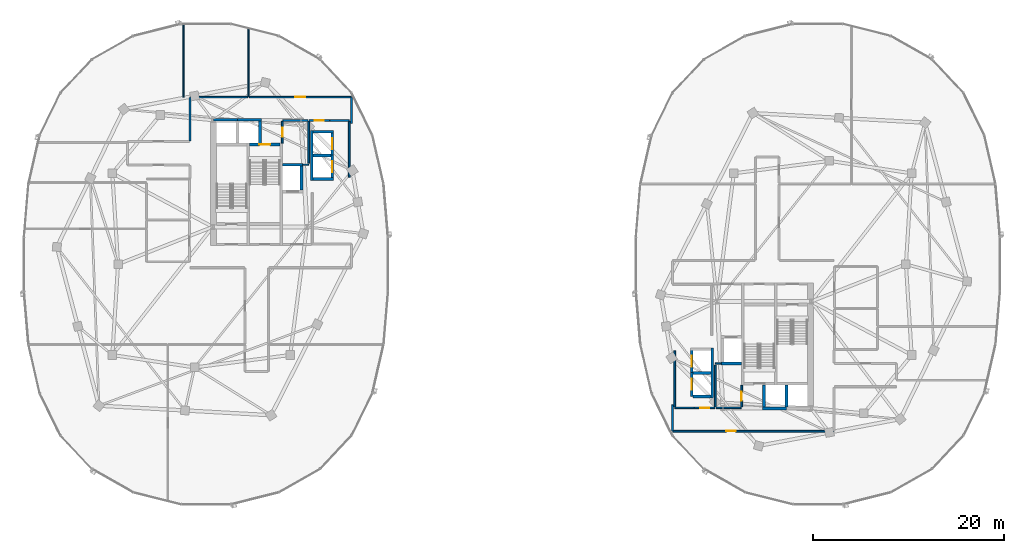
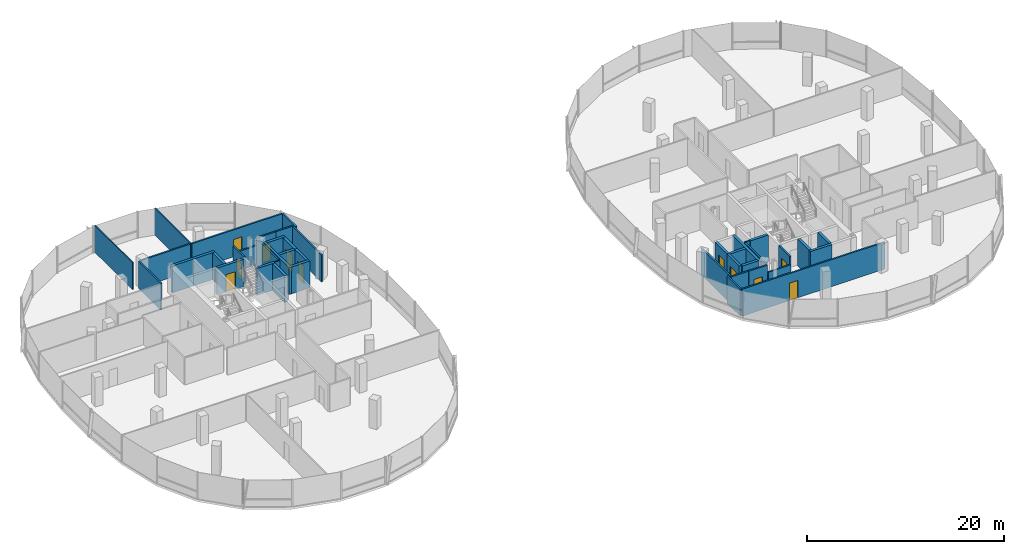
# One storey, part 16 of 25: 43 walls, 11 doors, 11 openings.
"""IFC4 building model written with IfcOpenShell, lengths in metres."""

from ifc_helpers import new_model, si_unit, direction, frame, frame_2d, origin, place, context, subcontext, project, spatial, rectangle, extrude, material, layer, layer_set, type_object, element, fill, save


model = new_model("IFC4")

# Units and contexts
model_context = context("Model", 3, precision=1e-05, world=origin(), true_north=direction((0.0, 1.0)))
body_context = subcontext(model_context, "Body", "Model", "MODEL_VIEW")
ifc_project = project(units=[si_unit("LENGTHUNIT", "METRE"), si_unit("AREAUNIT", "SQUARE_METRE"), si_unit("VOLUMEUNIT", "CUBIC_METRE"), si_unit("PLANEANGLEUNIT", "RADIAN"), si_unit("MASSUNIT", "GRAM", prefix="KILO"), si_unit("THERMODYNAMICTEMPERATUREUNIT", "KELVIN"), si_unit("POWERUNIT", "WATT")], contexts=[model_context])

# Site, building, storey
site_placement = place(None, origin())
site = spatial("IfcSite", under=ifc_project, at=site_placement, CompositionType="ELEMENT")
building_placement = place(site_placement, origin())
building = spatial("IfcBuilding", under=site, at=building_placement, Name="Cundina Bronze Exchange", CompositionType="ELEMENT")
storey_placement = place(building_placement, frame((0.0, 0.0, 202.60009765625)))
storey = spatial("IfcBuildingStorey", under=building, at=storey_placement, Name="L53", CompositionType="ELEMENT", Elevation=202.60009765625)

# Wall
ifc_material_1 = material(Name="Gypsum Fireboard Partition EI120")
ifc_layer_1 = layer(ifc_material_1, 0.179931640625, Name="Gypsum Fireboard Partition EI120")
ifc_layer_set_1 = layer_set([ifc_layer_1], Name="Gypsum Fireboard Partition EI120")
wall_type_1 = type_object("IfcWallType", Name="WL-COR-180", PredefinedType="PARTITIONING", material=ifc_layer_set_1)
wall_1_placement = place(storey_placement, frame((-17.02001953125, 9.070068359375, 0.0), z_axis=(0.0, 0.0, 1.0), x_axis=(0.0, 1.0, 0.0)))
element("IfcWall", 1, at=wall_1_placement, inside=storey, type_object=wall_type_1, Name="L53 Interior Partition 001", PredefinedType="PARTITIONING", context=body_context, shape_type="SweptSolid", body=[
    extrude(rectangle(XDim=5.85986328125, YDim=0.179931640625, at=frame_2d((2.929931640625, 0.0))), origin(), (0.0, 0.0, 1.0), 3.33984375),
])

# Wall, opening, door
wall_2_placement = place(storey_placement, frame((-21.22998046875, 15.030029296875, 0.0), z_axis=(0.0, 0.0, 1.0), x_axis=(1.0, 0.0, 0.0)))
wall_2 = element("IfcWall", 2, at=wall_2_placement, inside=storey, type_object=wall_type_1, Name="L53 Interior Partition 002", PredefinedType="PARTITIONING", context=body_context, shape_type="SweptSolid", body=[
    extrude(rectangle(XDim=2.159912109375, YDim=0.179931640625, at=frame_2d((1.080078125, 0.0))), origin(), (0.0, 0.0, 1.0), 3.33984375),
])
opening_1_placement = place(wall_2_placement, frame((0.60498046875, 0.0, 0.0)))
opening_1 = element("IfcOpeningElement", 3, at=opening_1_placement, cuts=wall_2, Name="Opening DW-01", PredefinedType="OPENING", context=body_context, shape_type="SweptSolid", body=[
    extrude(rectangle(XDim=0.949951171875, YDim=2.10009765625, at=frame_2d((0.47509765625, 1.050048828125))), frame((0.0, 0.099853515625, 0.0), z_axis=(0.0, -1.0, 0.0), x_axis=(1.0, 0.0, 0.0)), (0.0, 0.0, 1.0), 0.199951171875),
])
ifc_material_2 = material(Name="Solid Andean Oak Timber Grade A", Category="wood")
door_type_1 = type_object("IfcDoorType", Name="DR-WC-950", OperationType="NOTDEFINED", PredefinedType="DOOR", material=ifc_material_2)
door_1_placement = place(opening_1_placement, origin())
door_1 = element("IfcDoor", 4, at=door_1_placement, inside=storey, type_object=door_type_1, Name="L53 Interior Door 002", OperationType="SINGLE_SWING_LEFT", OverallHeight=2.10009765625, OverallWidth=0.949951171875, PredefinedType="DOOR", context=body_context, shape_type="SweptSolid", body=[
    extrude(rectangle(XDim=0.949951171875, YDim=2.10009765625, at=frame_2d((0.47509765625, 1.050048828125))), frame((0.0, 0.02490234375, 0.0), z_axis=(0.0, -1.0, 0.0), x_axis=(1.0, 0.0, 0.0)), (0.0, 0.0, 1.0), 0.050048828125),
])
fill(opening_1, door_1)

# Walls
wall_3_placement = place(storey_placement, frame((-19.030029296875, 15.030029296875, 0.0), z_axis=(0.0, 0.0, 1.0), x_axis=(1.0, 0.0, 0.0)))
element("IfcWall", 5, at=wall_3_placement, inside=storey, type_object=wall_type_1, Name="L53 Interior Partition 003", PredefinedType="PARTITIONING", context=body_context, shape_type="SweptSolid", body=[
    extrude(rectangle(XDim=1.989990234375, YDim=0.179931640625, at=frame_2d((0.9951171875, 0.0))), origin(), (0.0, 0.0, 1.0), 3.33984375),
])
wall_4_placement = place(storey_placement, frame((-21.25, 10.570068359375, 0.0), z_axis=(0.0, 0.0, 1.0), x_axis=(0.0, 1.0, 0.0)))
element("IfcWall", 6, at=wall_4_placement, inside=storey, type_object=wall_type_1, Name="L53 Interior Partition 005", PredefinedType="PARTITIONING", context=body_context, shape_type="SweptSolid", body=[
    extrude(rectangle(XDim=4.35986328125, YDim=0.179931640625, at=frame_2d((2.179931640625, 0.0))), origin(), (0.0, 0.0, 1.0), 3.33984375),
])
wall_5_placement = place(storey_placement, frame((-23.9599609375, 15.030029296875, 0.0), z_axis=(0.0, 0.0, 1.0), x_axis=(1.0, 0.0, 0.0)))
element("IfcWall", 7, at=wall_5_placement, inside=storey, type_object=wall_type_1, Name="L53 Interior Partition 006", PredefinedType="PARTITIONING", context=body_context, shape_type="SweptSolid", body=[
    extrude(rectangle(XDim=2.60986328125, YDim=0.179931640625, at=frame_2d((1.304931640625, 0.0))), origin(), (0.0, 0.0, 1.0), 2.412841796875),
])

# Wall, opening, door
wall_6_placement = place(storey_placement, frame((-24.02001953125, 12.669921875, 0.0), z_axis=(0.0, 0.0, 1.0), x_axis=(0.0, 1.0, 0.0)))
wall_6 = element("IfcWall", 8, at=wall_6_placement, inside=storey, type_object=wall_type_1, Name="L53 Interior Partition 008", PredefinedType="PARTITIONING", context=body_context, shape_type="SweptSolid", body=[
    extrude(rectangle(XDim=2.260009765625, YDim=0.179931640625, at=frame_2d((1.1298828125, 0.0))), origin(), (0.0, 0.0, 1.0), 3.33984375),
])
opening_2_placement = place(wall_6_placement, frame((0.655029296875, 0.0, 0.0)))
opening_2 = element("IfcOpeningElement", 9, at=opening_2_placement, cuts=wall_6, Name="Opening DW-01", PredefinedType="OPENING", context=body_context, shape_type="SweptSolid", body=[
    extrude(rectangle(XDim=0.949951171875, YDim=2.10009765625, at=frame_2d((0.47509765625, 1.050048828125))), frame((0.0, 0.099853515625, 0.0), z_axis=(0.0, -1.0, 0.0), x_axis=(1.0, 0.0, 0.0)), (0.0, 0.0, 1.0), 0.199951171875),
])
door_2_placement = place(opening_2_placement, origin())
door_2 = element("IfcDoor", 10, at=door_2_placement, inside=storey, type_object=door_type_1, Name="L53 Interior Door 008", OperationType="SINGLE_SWING_LEFT", OverallHeight=2.10009765625, OverallWidth=0.949951171875, PredefinedType="DOOR", context=body_context, shape_type="SweptSolid", body=[
    extrude(rectangle(XDim=0.949951171875, YDim=2.10009765625, at=frame_2d((0.47509765625, 1.050048828125))), frame((0.0, 0.02490234375, 0.0), z_axis=(0.0, -1.0, 0.0), x_axis=(1.0, 0.0, 0.0)), (0.0, 0.0, 1.0), 0.050048828125),
])
fill(opening_2, door_2)

wall_7_placement = place(storey_placement, frame((-16.821533203125, 17.469970703125, 0.0), z_axis=(0.0, 0.0, 1.0), x_axis=(-1.0, 0.0, 0.0)))
wall_7 = element("IfcWall", 11, at=wall_7_placement, inside=storey, type_object=wall_type_1, Name="L53 Interior Partition 029", PredefinedType="PARTITIONING", context=body_context, shape_type="SweptSolid", body=[
    extrude(rectangle(XDim=10.6484375, YDim=0.179931640625, at=frame_2d((5.32421875, 0.0))), origin(), (0.0, 0.0, 1.0), 3.33984375),
])
opening_3_placement = place(wall_7_placement, frame((4.82421875, 0.0, 0.0)))
opening_3 = element("IfcOpeningElement", 12, at=opening_3_placement, cuts=wall_7, Name="Opening DO-01", PredefinedType="OPENING", context=body_context, shape_type="SweptSolid", body=[
    extrude(rectangle(XDim=1.0, YDim=2.14990234375, at=frame_2d((0.5, 1.074951171875))), frame((0.0, 0.099853515625, 0.0), z_axis=(0.0, -1.0, 0.0), x_axis=(1.0, 0.0, 0.0)), (0.0, 0.0, 1.0), 0.199951171875),
])
door_type_2 = type_object("IfcDoorType", Name="DR-OFF-1000", OperationType="NOTDEFINED", PredefinedType="DOOR", material=ifc_material_2)
door_3_placement = place(opening_3_placement, origin())
door_3 = element("IfcDoor", 13, at=door_3_placement, inside=storey, type_object=door_type_2, Name="L53 Interior Door 029", OperationType="SINGLE_SWING_LEFT", OverallHeight=2.14990234375, OverallWidth=1.0, PredefinedType="DOOR", context=body_context, shape_type="SweptSolid", body=[
    extrude(rectangle(XDim=1.0, YDim=2.14990234375, at=frame_2d((0.5, 1.074951171875))), frame((0.0, 0.02490234375, 0.0), z_axis=(0.0, -1.0, 0.0), x_axis=(1.0, 0.0, 0.0)), (0.0, 0.0, 1.0), 0.050048828125),
])
fill(opening_3, door_3)

# Walls
wall_8_placement = place(storey_placement, frame((-16.780029296875, 14.721435546875, 0.0), z_axis=(0.0, 0.0, 1.0), x_axis=(0.0, 1.0, 0.0)))
element("IfcWall", 14, at=wall_8_placement, inside=storey, type_object=wall_type_1, Name="L53 Interior Partition 033", PredefinedType="PARTITIONING", context=body_context, shape_type="SweptSolid", body=[
    extrude(rectangle(XDim=2.70703125, YDim=0.179931640625, at=frame_2d((1.353515625, 0.0))), origin(), (0.0, 0.0, 1.0), 3.33984375),
])
wall_9_placement = place(storey_placement, frame((-27.64990234375, 17.469970703125, 0.0), z_axis=(0.0, 0.0, 1.0), x_axis=(-1.0, 0.0, 0.0)))
element("IfcWall", 15, at=wall_9_placement, inside=storey, type_object=wall_type_1, Name="L53 Interior Partition 039", PredefinedType="PARTITIONING", context=body_context, shape_type="SweptSolid", body=[
    extrude(rectangle(XDim=5.978515625, YDim=0.179931640625, at=frame_2d((2.9892578125, 0.0))), origin(), (0.0, 0.0, 1.0), 3.33984375),
])
wall_10_placement = place(storey_placement, frame((-33.669921875, 17.428466796875, 0.0), z_axis=(0.0, 0.0, 1.0), x_axis=(0.0, -1.0, 0.0)))
element("IfcWall", 16, at=wall_10_placement, inside=storey, type_object=wall_type_1, Name="L53 Interior Partition 040", PredefinedType="PARTITIONING", context=body_context, shape_type="SweptSolid", body=[
    extrude(rectangle(XDim=4.528564453125, YDim=0.179931640625, at=frame_2d((2.26416015625, 0.0))), origin(), (0.0, 0.0, 1.0), 3.33984375),
])
wall_11_placement = place(storey_placement, frame((17.02001953125, -14.929931640625, 0.0), z_axis=(0.0, 0.0, 1.0), x_axis=(0.0, 1.0, 0.0)))
element("IfcWall", 17, at=wall_11_placement, inside=storey, type_object=wall_type_1, Name="L53 Interior Partition 043", PredefinedType="PARTITIONING", context=body_context, shape_type="SweptSolid", body=[
    extrude(rectangle(XDim=5.85986328125, YDim=0.179931640625, at=frame_2d((2.929931640625, 0.0))), origin(), (0.0, 0.0, 1.0), 3.33984375),
])
wall_12_placement = place(storey_placement, frame((17.0400390625, -15.030029296875, 0.0), z_axis=(0.0, 0.0, 1.0), x_axis=(1.0, 0.0, 0.0)))
element("IfcWall", 18, at=wall_12_placement, inside=storey, type_object=wall_type_1, Name="L53 Interior Partition 044", PredefinedType="PARTITIONING", context=body_context, shape_type="SweptSolid", body=[
    extrude(rectangle(XDim=1.989990234375, YDim=0.179931640625, at=frame_2d((0.9951171875, 0.0))), origin(), (0.0, 0.0, 1.0), 3.33984375),
])

# Wall, opening, door
wall_13_placement = place(storey_placement, frame((21.22998046875, -15.030029296875, 0.0), z_axis=(0.0, 0.0, 1.0), x_axis=(-1.0, 0.0, 0.0)))
wall_13 = element("IfcWall", 19, at=wall_13_placement, inside=storey, type_object=wall_type_1, Name="L53 Interior Partition 045", PredefinedType="PARTITIONING", context=body_context, shape_type="SweptSolid", body=[
    extrude(rectangle(XDim=2.159912109375, YDim=0.179931640625, at=frame_2d((1.080078125, 0.0))), origin(), (0.0, 0.0, 1.0), 3.33984375),
])
opening_4_placement = place(wall_13_placement, frame((0.60498046875, 0.0, 0.0)))
opening_4 = element("IfcOpeningElement", 20, at=opening_4_placement, cuts=wall_13, Name="Opening DW-01", PredefinedType="OPENING", context=body_context, shape_type="SweptSolid", body=[
    extrude(rectangle(XDim=0.949951171875, YDim=2.10009765625, at=frame_2d((0.47509765625, 1.050048828125))), frame((0.0, 0.099853515625, 0.0), z_axis=(0.0, -1.0, 0.0), x_axis=(1.0, 0.0, 0.0)), (0.0, 0.0, 1.0), 0.199951171875),
])
door_4_placement = place(opening_4_placement, origin())
door_4 = element("IfcDoor", 21, at=door_4_placement, inside=storey, type_object=door_type_1, Name="L53 Interior Door 045", OperationType="SINGLE_SWING_RIGHT", OverallHeight=2.10009765625, OverallWidth=0.949951171875, PredefinedType="DOOR", context=body_context, shape_type="SweptSolid", body=[
    extrude(rectangle(XDim=0.949951171875, YDim=2.10009765625, at=frame_2d((0.47509765625, 1.050048828125))), frame((0.0, 0.02490234375, 0.0), z_axis=(0.0, -1.0, 0.0), x_axis=(1.0, 0.0, 0.0)), (0.0, 0.0, 1.0), 0.050048828125),
])
fill(opening_4, door_4)

# Walls
wall_14_placement = place(storey_placement, frame((21.25, -14.929931640625, 0.0), z_axis=(0.0, 0.0, 1.0), x_axis=(0.0, 1.0, 0.0)))
element("IfcWall", 22, at=wall_14_placement, inside=storey, type_object=wall_type_1, Name="L53 Interior Partition 047", PredefinedType="PARTITIONING", context=body_context, shape_type="SweptSolid", body=[
    extrude(rectangle(XDim=4.35986328125, YDim=0.179931640625, at=frame_2d((2.179931640625, 0.0))), origin(), (0.0, 0.0, 1.0), 3.33984375),
])
wall_15_placement = place(storey_placement, frame((21.35009765625, -15.030029296875, 0.0), z_axis=(0.0, 0.0, 1.0), x_axis=(1.0, 0.0, 0.0)))
element("IfcWall", 23, at=wall_15_placement, inside=storey, type_object=wall_type_1, Name="L53 Interior Partition 048", PredefinedType="PARTITIONING", context=body_context, shape_type="SweptSolid", body=[
    extrude(rectangle(XDim=2.60986328125, YDim=0.179931640625, at=frame_2d((1.304931640625, 0.0))), origin(), (0.0, 0.0, 1.0), 2.412841796875),
])

# Wall, opening, door
wall_16_placement = place(storey_placement, frame((24.02001953125, -14.929931640625, 0.0), z_axis=(0.0, 0.0, 1.0), x_axis=(0.0, 1.0, 0.0)))
wall_16 = element("IfcWall", 24, at=wall_16_placement, inside=storey, type_object=wall_type_1, Name="L53 Interior Partition 050", PredefinedType="PARTITIONING", context=body_context, shape_type="SweptSolid", body=[
    extrude(rectangle(XDim=2.260009765625, YDim=0.179931640625, at=frame_2d((1.1298828125, 0.0))), origin(), (0.0, 0.0, 1.0), 3.33984375),
])
opening_5_placement = place(wall_16_placement, frame((0.655029296875, 0.0, 0.0)))
opening_5 = element("IfcOpeningElement", 25, at=opening_5_placement, cuts=wall_16, Name="Opening DW-01", PredefinedType="OPENING", context=body_context, shape_type="SweptSolid", body=[
    extrude(rectangle(XDim=0.949951171875, YDim=2.10009765625, at=frame_2d((0.47509765625, 1.050048828125))), frame((0.0, 0.099853515625, 0.0), z_axis=(0.0, -1.0, 0.0), x_axis=(1.0, 0.0, 0.0)), (0.0, 0.0, 1.0), 0.199951171875),
])
door_5_placement = place(opening_5_placement, origin())
door_5 = element("IfcDoor", 26, at=door_5_placement, inside=storey, type_object=door_type_1, Name="L53 Interior Door 050", OperationType="SINGLE_SWING_RIGHT", OverallHeight=2.10009765625, OverallWidth=0.949951171875, PredefinedType="DOOR", context=body_context, shape_type="SweptSolid", body=[
    extrude(rectangle(XDim=0.949951171875, YDim=2.10009765625, at=frame_2d((0.47509765625, 1.050048828125))), frame((0.0, 0.02490234375, 0.0), z_axis=(0.0, -1.0, 0.0), x_axis=(1.0, 0.0, 0.0)), (0.0, 0.0, 1.0), 0.050048828125),
])
fill(opening_5, door_5)

wall_17_placement = place(storey_placement, frame((16.821533203125, -17.469970703125, 0.0), z_axis=(0.0, 0.0, 1.0), x_axis=(1.0, 0.0, 0.0)))
wall_17 = element("IfcWall", 27, at=wall_17_placement, inside=storey, type_object=wall_type_1, Name="L53 Interior Partition 064", PredefinedType="PARTITIONING", context=body_context, shape_type="SweptSolid", body=[
    extrude(rectangle(XDim=16.806884765625, YDim=0.179931640625, at=frame_2d((8.4033203125, 0.0))), origin(), (0.0, 0.0, 1.0), 3.33984375),
])
opening_6_placement = place(wall_17_placement, frame((5.568603515625, 0.0, 0.0)))
opening_6 = element("IfcOpeningElement", 28, at=opening_6_placement, cuts=wall_17, Name="Opening DO-01", PredefinedType="OPENING", context=body_context, shape_type="SweptSolid", body=[
    extrude(rectangle(XDim=1.0, YDim=2.14990234375, at=frame_2d((0.5, 1.074951171875))), frame((0.0, 0.099853515625, 0.0), z_axis=(0.0, -1.0, 0.0), x_axis=(1.0, 0.0, 0.0)), (0.0, 0.0, 1.0), 0.199951171875),
])
door_6_placement = place(opening_6_placement, origin())
door_6 = element("IfcDoor", 29, at=door_6_placement, inside=storey, type_object=door_type_2, Name="L53 Interior Door 064", OperationType="SINGLE_SWING_LEFT", OverallHeight=2.14990234375, OverallWidth=1.0, PredefinedType="DOOR", context=body_context, shape_type="SweptSolid", body=[
    extrude(rectangle(XDim=1.0, YDim=2.14990234375, at=frame_2d((0.5, 1.074951171875))), frame((0.0, 0.02490234375, 0.0), z_axis=(0.0, -1.0, 0.0), x_axis=(1.0, 0.0, 0.0)), (0.0, 0.0, 1.0), 0.050048828125),
])
fill(opening_6, door_6)

# Walls
wall_18_placement = place(storey_placement, frame((16.780029296875, -14.721435546875, 0.0), z_axis=(0.0, 0.0, 1.0), x_axis=(0.0, -1.0, 0.0)))
element("IfcWall", 30, at=wall_18_placement, inside=storey, type_object=wall_type_1, Name="L53 Interior Partition 070", PredefinedType="PARTITIONING", context=body_context, shape_type="SweptSolid", body=[
    extrude(rectangle(XDim=2.70703125, YDim=0.179931640625, at=frame_2d((1.353515625, 0.0))), origin(), (0.0, 0.0, 1.0), 3.33984375),
])
ifc_material_3 = material(Name="Gypsum Acoustic Partition EI60")
ifc_layer_2 = layer(ifc_material_3, 0.125, Name="Gypsum Acoustic Partition EI60")
ifc_layer_set_2 = layer_set([ifc_layer_2], Name="Gypsum Acoustic Partition EI60")
wall_type_2 = type_object("IfcWallType", Name="WL-OFF-125", PredefinedType="PARTITIONING", material=ifc_layer_set_2)
wall_19_placement = place(storey_placement, frame((-34.360107421875, 17.469970703125, 0.0), z_axis=(0.0, 0.0, 1.0), x_axis=(0.0, 1.0, 0.0)))
element("IfcWall", 31, at=wall_19_placement, inside=storey, type_object=wall_type_2, Name="L53 Interior Partition 022", PredefinedType="PARTITIONING", context=body_context, shape_type="SweptSolid", body=[
    extrude(rectangle(XDim=7.719970703125, YDim=0.125, at=frame_2d((3.85986328125, 0.0))), origin(), (0.0, 0.0, 1.0), 3.33984375),
])
wall_20_placement = place(storey_placement, frame((-27.56005859375, 17.5, 0.0), z_axis=(0.0, 0.0, 1.0), x_axis=(0.0, 1.0, 0.0)))
element("IfcWall", 32, at=wall_20_placement, inside=storey, type_object=wall_type_2, Name="L53 Interior Partition 023", PredefinedType="PARTITIONING", context=body_context, shape_type="SweptSolid", body=[
    extrude(rectangle(XDim=7.233154296875, YDim=0.125, at=frame_2d((3.61669921875, 0.0))), origin(), (0.0, 0.0, 1.0), 3.33984375),
])

# Wall, opening, door
ifc_material_4 = material(Name="Concrete C50/60", Category="concrete")
ifc_layer_3 = layer(ifc_material_4, 0.300048828125, Name="Concrete C50/60", Category="concrete")
ifc_layer_set_3 = layer_set([ifc_layer_3], Name="Concrete C50/60")
wall_type_3 = type_object("IfcWallType", Name="WL-SHFT-300", PredefinedType="SHEAR", material=ifc_layer_set_3)
wall_21_placement = place(storey_placement, frame((-27.43994140625, 12.5, 0.0), z_axis=(0.0, 0.0, 1.0), x_axis=(1.0, 0.0, 0.0)))
wall_21 = element("IfcWall", 33, at=wall_21_placement, inside=storey, type_object=wall_type_3, Name="L53 Stair W2 Landing Wall", PredefinedType="SHEAR", context=body_context, shape_type="SweptSolid", body=[
    extrude(rectangle(XDim=3.159912109375, YDim=0.300048828125, at=frame_2d((1.580078125, 0.0))), origin(), (0.0, 0.0, 1.0), 3.33984375),
])
opening_7_placement = place(wall_21_placement, frame((1.030029296875, 0.0, 0.0)))
opening_7 = element("IfcOpeningElement", 34, at=opening_7_placement, cuts=wall_21, Name="Opening DS-01", PredefinedType="OPENING", context=body_context, shape_type="SweptSolid", body=[
    extrude(rectangle(XDim=1.10009765625, YDim=2.14990234375, at=frame_2d((0.550048828125, 1.074951171875))), frame((0.0, 0.159912109375, 0.0), z_axis=(0.0, -1.0, 0.0), x_axis=(1.0, 0.0, 0.0)), (0.0, 0.0, 1.0), 0.320068359375),
])
ifc_material_5 = material(Name="Steel ASTM A36 Painted", Category="steel")
door_type_3 = type_object("IfcDoorType", Name="DR-STR-1100", OperationType="NOTDEFINED", PredefinedType="DOOR", material=ifc_material_5)
door_7_placement = place(opening_7_placement, origin())
door_7 = element("IfcDoor", 35, at=door_7_placement, inside=storey, type_object=door_type_3, Name="L53 Smokeproof Stair W2 Door", OperationType="SINGLE_SWING_LEFT", OverallHeight=2.14990234375, OverallWidth=1.10009765625, PredefinedType="DOOR", context=body_context, shape_type="SweptSolid", body=[
    extrude(rectangle(XDim=1.10009765625, YDim=2.14990234375, at=frame_2d((0.550048828125, 1.074951171875))), frame((0.0, 0.02490234375, 0.0), z_axis=(0.0, -1.0, 0.0), x_axis=(1.0, 0.0, 0.0)), (0.0, 0.0, 1.0), 0.050048828125),
])
fill(opening_7, door_7)

# Walls
wall_22_placement = place(storey_placement, frame((-23.97998046875, 10.39990234375, 0.0), z_axis=(0.0, 0.0, 1.0), x_axis=(1.0, 0.0, 0.0)))
element("IfcWall", 36, at=wall_22_placement, inside=storey, type_object=wall_type_3, Name="L53 FFL-W Hoistway Back Wall", PredefinedType="SHEAR", context=body_context, shape_type="SweptSolid", body=[
    extrude(rectangle(XDim=2.10009765625, YDim=0.300048828125, at=frame_2d((1.050048828125, 0.0))), origin(), (0.0, 0.0, 1.0), 3.33984375),
])
for number, where, z_axis, x_axis, name in (
    (37, (-22.030029296875, 7.75, 0.0), (0.0, 0.0, 1.0), (0.0, 1.0, 0.0), "L53 FFL-W Hoistway Side Wall"),
    (38, (-31.199951171875, 15.10009765625, 0.0), (0.0, 0.0, 1.0), (1.0, 0.0, 0.0), "L53 PH-W1 Hoistway Front Wall"),
    (39, (-28.699951171875, 15.10009765625, 0.0), (0.0, 0.0, 1.0), (1.0, 0.0, 0.0), "L53 PH-W2 Hoistway Front Wall"),
):
    element("IfcWall", number, at=place(storey_placement, frame(where, z_axis=z_axis, x_axis=x_axis)), inside=storey, type_object=wall_type_3, Name=name, PredefinedType="SHEAR", context=body_context, shape_type="SweptSolid", body=[
        extrude(rectangle(XDim=2.5, YDim=0.300048828125, at=frame_2d((1.25, 0.0))), origin(), (0.0, 0.0, 1.0), 3.33984375),
    ])
wall_23_placement = place(storey_placement, frame((-26.35009765625, 12.64990234375, 0.0), z_axis=(0.0, 0.0, 1.0), x_axis=(0.0, 1.0, 0.0)))
element("IfcWall", 40, at=wall_23_placement, inside=storey, type_object=wall_type_3, Name="L53 PH-W2 Hoistway Divider Wall", PredefinedType="SHEAR", context=body_context, shape_type="SweptSolid", body=[
    extrude(rectangle(XDim=2.300048828125, YDim=0.300048828125, at=frame_2d((1.14990234375, 0.0))), origin(), (0.0, 0.0, 1.0), 3.33984375),
])
wall_24_placement = place(storey_placement, frame((-20.949951171875, 8.75, 0.0), z_axis=(0.0, 0.0, 1.0), x_axis=(0.0, 1.0, 0.0)))
element("IfcWall", 41, at=wall_24_placement, inside=storey, type_object=wall_type_3, Name="L53 W Passenger Bank Hoistway Back Wall", PredefinedType="SHEAR", context=body_context, shape_type="SweptSolid", body=[
    extrude(rectangle(XDim=5.25, YDim=0.300048828125, at=frame_2d((2.625, 0.0))), origin(), (0.0, 0.0, 1.0), 3.33984375),
])
for number, where, z_axis, x_axis, name in (
    (42, (-20.800048828125, 8.89990234375, 0.0), (0.0, 0.0, 1.0), (1.0, 0.0, 0.0), "L53 W Passenger Bank South Cap Wall"),
    (43, (-20.800048828125, 13.85009765625, 0.0), (0.0, 0.0, 1.0), (1.0, 0.0, 0.0), "L53 W Passenger Bank North Cap Wall"),
):
    element("IfcWall", number, at=place(storey_placement, frame(where, z_axis=z_axis, x_axis=x_axis)), inside=storey, type_object=wall_type_3, Name=name, PredefinedType="SHEAR", context=body_context, shape_type="SweptSolid", body=[
        extrude(rectangle(XDim=2.150146484375, YDim=0.300048828125, at=frame_2d((1.0751953125, 0.0))), origin(), (0.0, 0.0, 1.0), 3.33984375),
    ])
wall_25_placement = place(storey_placement, frame((-20.800048828125, 11.375, 0.0), z_axis=(0.0, 0.0, 1.0), x_axis=(1.0, 0.0, 0.0)))
element("IfcWall", 44, at=wall_25_placement, inside=storey, type_object=wall_type_3, Name="L53 W Passenger Hoistway Divider 1", PredefinedType="SHEAR", context=body_context, shape_type="SweptSolid", body=[
    extrude(rectangle(XDim=1.85009765625, YDim=0.300048828125, at=frame_2d((0.925048828125, 0.0))), origin(), (0.0, 0.0, 1.0), 3.33984375),
])

# Wall, opening, door
wall_26_placement = place(storey_placement, frame((-18.800048828125, 8.929931640625, 0.0), z_axis=(0.0, 0.0, 1.0), x_axis=(0.0, 1.0, 0.0)))
wall_26 = element("IfcWall", 45, at=wall_26_placement, inside=storey, type_object=wall_type_3, Name="L53 PM-W2 Hoistway Front Wall", PredefinedType="SHEAR", context=body_context, shape_type="SweptSolid", body=[
    extrude(rectangle(XDim=2.489990234375, YDim=0.300048828125, at=frame_2d((1.2451171875, 0.0))), origin(), (0.0, 0.0, 1.0), 3.33984375),
])
opening_8_placement = place(wall_26_placement, frame((0.669921875, 0.0, 0.0)))
opening_8 = element("IfcOpeningElement", 46, at=opening_8_placement, cuts=wall_26, Name="Opening LD-01", PredefinedType="OPENING", context=body_context, shape_type="SweptSolid", body=[
    extrude(rectangle(XDim=1.14990234375, YDim=2.199951171875, at=frame_2d((0.574951171875, 1.10009765625))), frame((0.0, 0.159912109375, 0.0), z_axis=(0.0, -1.0, 0.0), x_axis=(1.0, 0.0, 0.0)), (0.0, 0.0, 1.0), 0.320068359375),
])
door_type_4 = type_object("IfcDoorType", Name="DR-LND-1150", OperationType="NOTDEFINED", PredefinedType="TRAPDOOR", material=ifc_material_5)
door_8_placement = place(opening_8_placement, origin())
door_8 = element("IfcDoor", 47, at=door_8_placement, inside=storey, type_object=door_type_4, Name="L53 PM-W2 Sliding Landing Door", OperationType="SLIDING_TO_LEFT", OverallHeight=2.199951171875, OverallWidth=1.14990234375, PredefinedType="TRAPDOOR", context=body_context, shape_type="SweptSolid", body=[
    extrude(rectangle(XDim=1.14990234375, YDim=2.199951171875, at=frame_2d((0.574951171875, 1.10009765625))), frame((0.0, 0.02490234375, 0.0), z_axis=(0.0, -1.0, 0.0), x_axis=(1.0, 0.0, 0.0)), (0.0, 0.0, 1.0), 0.050048828125),
])
fill(opening_8, door_8)

wall_27_placement = place(storey_placement, frame((-18.800048828125, 11.330078125, 0.0), z_axis=(0.0, 0.0, 1.0), x_axis=(0.0, 1.0, 0.0)))
wall_27 = element("IfcWall", 48, at=wall_27_placement, inside=storey, type_object=wall_type_3, Name="L53 PM-W1 Hoistway Front Wall", PredefinedType="SHEAR", context=body_context, shape_type="SweptSolid", body=[
    extrude(rectangle(XDim=2.489990234375, YDim=0.300048828125, at=frame_2d((1.2451171875, 0.0))), origin(), (0.0, 0.0, 1.0), 3.33984375),
])
opening_9_placement = place(wall_27_placement, frame((0.669921875, 0.0, 0.0)))
opening_9 = element("IfcOpeningElement", 49, at=opening_9_placement, cuts=wall_27, Name="Opening LD-01", PredefinedType="OPENING", context=body_context, shape_type="SweptSolid", body=[
    extrude(rectangle(XDim=1.14990234375, YDim=2.199951171875, at=frame_2d((0.574951171875, 1.10009765625))), frame((0.0, 0.159912109375, 0.0), z_axis=(0.0, -1.0, 0.0), x_axis=(1.0, 0.0, 0.0)), (0.0, 0.0, 1.0), 0.320068359375),
])
door_9_placement = place(opening_9_placement, origin())
door_9 = element("IfcDoor", 50, at=door_9_placement, inside=storey, type_object=door_type_4, Name="L53 PM-W1 Sliding Landing Door", OperationType="SLIDING_TO_LEFT", OverallHeight=2.199951171875, OverallWidth=1.14990234375, PredefinedType="TRAPDOOR", context=body_context, shape_type="SweptSolid", body=[
    extrude(rectangle(XDim=1.14990234375, YDim=2.199951171875, at=frame_2d((0.574951171875, 1.10009765625))), frame((0.0, 0.02490234375, 0.0), z_axis=(0.0, -1.0, 0.0), x_axis=(1.0, 0.0, 0.0)), (0.0, 0.0, 1.0), 0.050048828125),
])
fill(opening_9, door_9)

# Walls
wall_28_placement = place(storey_placement, frame((21.8798828125, -10.39990234375, 0.0), z_axis=(0.0, 0.0, 1.0), x_axis=(1.0, 0.0, 0.0)))
element("IfcWall", 51, at=wall_28_placement, inside=storey, type_object=wall_type_3, Name="L53 FFL-E Hoistway Back Wall", PredefinedType="SHEAR", context=body_context, shape_type="SweptSolid", body=[
    extrude(rectangle(XDim=2.10009765625, YDim=0.300048828125, at=frame_2d((1.050048828125, 0.0))), origin(), (0.0, 0.0, 1.0), 3.33984375),
])
wall_29_placement = place(storey_placement, frame((28.699951171875, -14.949951171875, 0.0), z_axis=(0.0, 0.0, 1.0), x_axis=(0.0, 1.0, 0.0)))
element("IfcWall", 52, at=wall_29_placement, inside=storey, type_object=wall_type_3, Name="L53 PH-E1 Hoistway Divider Wall", PredefinedType="SHEAR", context=body_context, shape_type="SweptSolid", body=[
    extrude(rectangle(XDim=2.300048828125, YDim=0.300048828125, at=frame_2d((1.14990234375, 0.0))), origin(), (0.0, 0.0, 1.0), 3.33984375),
])
wall_30_placement = place(storey_placement, frame((26.199951171875, -15.10009765625, 0.0), z_axis=(0.0, 0.0, 1.0), x_axis=(1.0, 0.0, 0.0)))
element("IfcWall", 53, at=wall_30_placement, inside=storey, type_object=wall_type_3, Name="L53 PH-E2 Hoistway Front Wall", PredefinedType="SHEAR", context=body_context, shape_type="SweptSolid", body=[
    extrude(rectangle(XDim=2.5, YDim=0.300048828125, at=frame_2d((1.25, 0.0))), origin(), (0.0, 0.0, 1.0), 3.33984375),
])
wall_31_placement = place(storey_placement, frame((26.35009765625, -14.949951171875, 0.0), z_axis=(0.0, 0.0, 1.0), x_axis=(0.0, 1.0, 0.0)))
element("IfcWall", 54, at=wall_31_placement, inside=storey, type_object=wall_type_3, Name="L53 PH-E2 Hoistway Divider Wall", PredefinedType="SHEAR", context=body_context, shape_type="SweptSolid", body=[
    extrude(rectangle(XDim=2.300048828125, YDim=0.300048828125, at=frame_2d((1.14990234375, 0.0))), origin(), (0.0, 0.0, 1.0), 3.33984375),
])
wall_32_placement = place(storey_placement, frame((20.949951171875, -14.0, 0.0), z_axis=(0.0, 0.0, 1.0), x_axis=(0.0, 1.0, 0.0)))
element("IfcWall", 55, at=wall_32_placement, inside=storey, type_object=wall_type_3, Name="L53 E Passenger Bank Hoistway Back Wall", PredefinedType="SHEAR", context=body_context, shape_type="SweptSolid", body=[
    extrude(rectangle(XDim=5.25, YDim=0.300048828125, at=frame_2d((2.625, 0.0))), origin(), (0.0, 0.0, 1.0), 3.33984375),
])
for number, where, z_axis, x_axis, name in (
    (56, (18.949951171875, -13.85009765625, 0.0), (0.0, 0.0, 1.0), (1.0, 0.0, 0.0), "L53 E Passenger Bank South Cap Wall"),
    (57, (18.949951171875, -11.375, 0.0), (0.0, 0.0, 1.0), (1.0, 0.0, 0.0), "L53 E Passenger Hoistway Divider 1"),
):
    element("IfcWall", number, at=place(storey_placement, frame(where, z_axis=z_axis, x_axis=x_axis)), inside=storey, type_object=wall_type_3, Name=name, PredefinedType="SHEAR", context=body_context, shape_type="SweptSolid", body=[
        extrude(rectangle(XDim=1.85009765625, YDim=0.300048828125, at=frame_2d((0.925048828125, 0.0))), origin(), (0.0, 0.0, 1.0), 3.33984375),
    ])

# Wall, opening, door
wall_33_placement = place(storey_placement, frame((18.800048828125, -13.820068359375, 0.0), z_axis=(0.0, 0.0, 1.0), x_axis=(0.0, 1.0, 0.0)))
wall_33 = element("IfcWall", 58, at=wall_33_placement, inside=storey, type_object=wall_type_3, Name="L53 PM-E1 Hoistway Front Wall", PredefinedType="SHEAR", context=body_context, shape_type="SweptSolid", body=[
    extrude(rectangle(XDim=2.489990234375, YDim=0.300048828125, at=frame_2d((1.2451171875, 0.0))), origin(), (0.0, 0.0, 1.0), 3.33984375),
])
opening_10_placement = place(wall_33_placement, frame((0.669921875, 0.0, 0.0)))
opening_10 = element("IfcOpeningElement", 59, at=opening_10_placement, cuts=wall_33, Name="Opening LD-01", PredefinedType="OPENING", context=body_context, shape_type="SweptSolid", body=[
    extrude(rectangle(XDim=1.14990234375, YDim=2.199951171875, at=frame_2d((0.574951171875, 1.10009765625))), frame((0.0, 0.159912109375, 0.0), z_axis=(0.0, -1.0, 0.0), x_axis=(1.0, 0.0, 0.0)), (0.0, 0.0, 1.0), 0.320068359375),
])
door_10_placement = place(opening_10_placement, origin())
door_10 = element("IfcDoor", 60, at=door_10_placement, inside=storey, type_object=door_type_4, Name="L53 PM-E1 Sliding Landing Door", OperationType="SLIDING_TO_LEFT", OverallHeight=2.199951171875, OverallWidth=1.14990234375, PredefinedType="TRAPDOOR", context=body_context, shape_type="SweptSolid", body=[
    extrude(rectangle(XDim=1.14990234375, YDim=2.199951171875, at=frame_2d((0.574951171875, 1.10009765625))), frame((0.0, 0.02490234375, 0.0), z_axis=(0.0, -1.0, 0.0), x_axis=(1.0, 0.0, 0.0)), (0.0, 0.0, 1.0), 0.050048828125),
])
fill(opening_10, door_10)

wall_34_placement = place(storey_placement, frame((18.800048828125, -11.419921875, 0.0), z_axis=(0.0, 0.0, 1.0), x_axis=(0.0, 1.0, 0.0)))
wall_34 = element("IfcWall", 61, at=wall_34_placement, inside=storey, type_object=wall_type_3, Name="L53 PM-E2 Hoistway Front Wall", PredefinedType="SHEAR", context=body_context, shape_type="SweptSolid", body=[
    extrude(rectangle(XDim=2.489990234375, YDim=0.300048828125, at=frame_2d((1.2451171875, 0.0))), origin(), (0.0, 0.0, 1.0), 3.33984375),
])
opening_11_placement = place(wall_34_placement, frame((0.669921875, 0.0, 0.0)))
opening_11 = element("IfcOpeningElement", 62, at=opening_11_placement, cuts=wall_34, Name="Opening LD-01", PredefinedType="OPENING", context=body_context, shape_type="SweptSolid", body=[
    extrude(rectangle(XDim=1.14990234375, YDim=2.199951171875, at=frame_2d((0.574951171875, 1.10009765625))), frame((0.0, 0.159912109375, 0.0), z_axis=(0.0, -1.0, 0.0), x_axis=(1.0, 0.0, 0.0)), (0.0, 0.0, 1.0), 0.320068359375),
])
door_11_placement = place(opening_11_placement, origin())
door_11 = element("IfcDoor", 63, at=door_11_placement, inside=storey, type_object=door_type_4, Name="L53 PM-E2 Sliding Landing Door", OperationType="SLIDING_TO_LEFT", OverallHeight=2.199951171875, OverallWidth=1.14990234375, PredefinedType="TRAPDOOR", context=body_context, shape_type="SweptSolid", body=[
    extrude(rectangle(XDim=1.14990234375, YDim=2.199951171875, at=frame_2d((0.574951171875, 1.10009765625))), frame((0.0, 0.02490234375, 0.0), z_axis=(0.0, -1.0, 0.0), x_axis=(1.0, 0.0, 0.0)), (0.0, 0.0, 1.0), 0.050048828125),
])
fill(opening_11, door_11)

# Walls
ifc_material_6 = material(Name="Moisture-Resistant Masonry Block Grade M15", Category="masonry")
ifc_layer_4 = layer(ifc_material_6, 0.139892578125, Name="Moisture-Resistant Masonry Block Grade M15", Category="masonry")
ifc_layer_set_4 = layer_set([ifc_layer_4], Name="Moisture-Resistant Masonry Block Grade M15")
wall_type_4 = type_object("IfcWallType", Name="WL-WET-140", PredefinedType="PARTITIONING", material=ifc_layer_set_4)
for number, where, z_axis, x_axis, name in (
    (64, (-21.860107421875, 10.39990234375, 0.0), (0.0, 0.0, 1.0), (1.0, 0.0, 0.0), "L53 Interior Partition 004"),
    (65, (21.27001953125, -10.39990234375, 0.0), (0.0, 0.0, 1.0), (1.0, 0.0, 0.0), "L53 Interior Partition 046"),
):
    element("IfcWall", number, at=place(storey_placement, frame(where, z_axis=z_axis, x_axis=x_axis)), inside=storey, type_object=wall_type_4, Name=name, PredefinedType="PARTITIONING", context=body_context, shape_type="SweptSolid", body=[
        extrude(rectangle(XDim=0.590087890625, YDim=0.139892578125, at=frame_2d((0.294921875, 0.0))), origin(), (0.0, 0.0, 1.0), 3.33984375),
    ])

save(model, "model.ifc")
